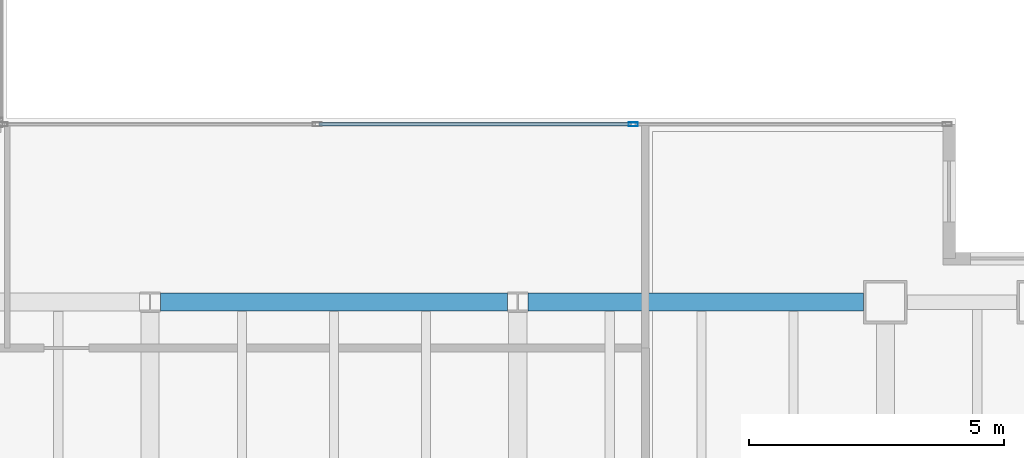
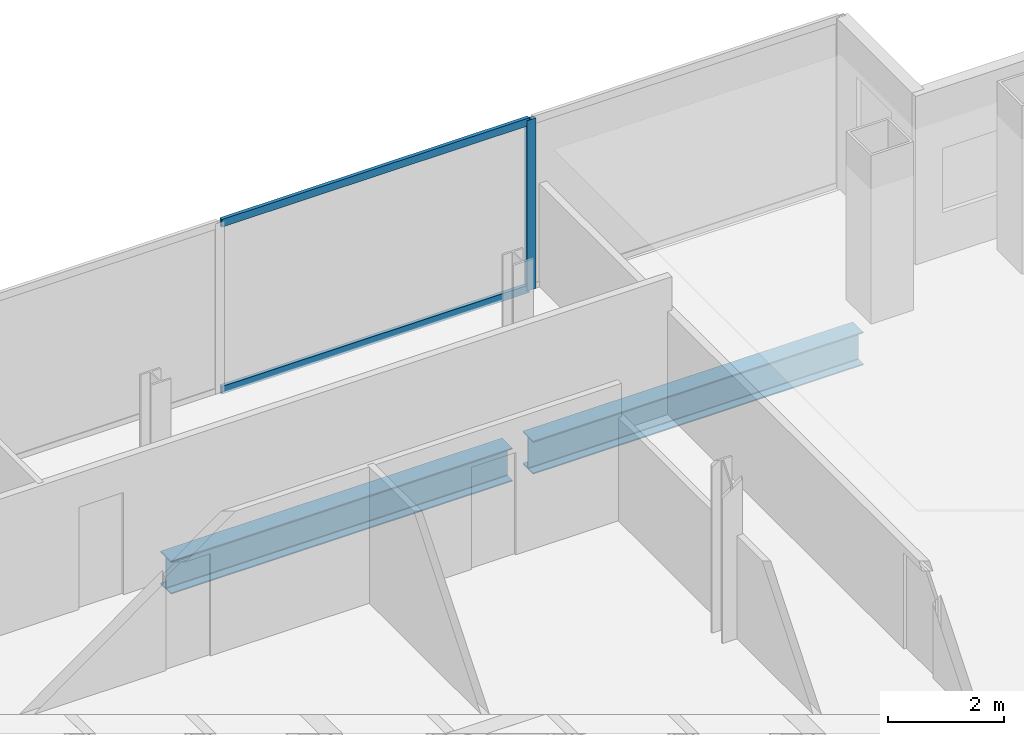
# One storey, part 14 of 24: 3 members, 2 beams, 1 element without a shape of its own.
"""IFC4 building model written with IfcOpenShell, lengths in metres."""

from ifc_helpers import new_model, si_unit, direction, frame, origin, origin_2d, place, context, subcontext, project, spatial, hollow_rectangle, i_section, extrude, material, material_profile, profile_set, type_object, element, aggregate, save


model = new_model("IFC4")

# Units and contexts
model_context = context("Model", 3, precision=1e-05, world=origin(), true_north=direction((0.0, 1.0)))
body_context = subcontext(model_context, "Body", "Model", "MODEL_VIEW")
ifc_project = project(units=[si_unit("LENGTHUNIT", "METRE"), si_unit("AREAUNIT", "SQUARE_METRE"), si_unit("VOLUMEUNIT", "CUBIC_METRE"), si_unit("PLANEANGLEUNIT", "RADIAN"), si_unit("MASSUNIT", "GRAM", prefix="KILO")], contexts=[model_context])

# Site, building, storey
site_placement = place(None, origin())
site = spatial("IfcSite", under=ifc_project, at=site_placement, CompositionType="ELEMENT")
building_placement = place(site_placement, origin())
building = spatial("IfcBuilding", under=site, at=building_placement, Name="Cobrela Telecom Tower", CompositionType="ELEMENT")
storey_placement = place(building_placement, frame((0.0, 0.0, 152.25)))
storey = spatial("IfcBuildingStorey", under=building, at=storey_placement, Name="L38", CompositionType="ELEMENT", Elevation=152.25)

# Beams
ifc_material_1 = material(Name="Steel ASTM A992 Grade 50", Category="steel")
ifc_material_profile_1 = material_profile(ifc_material_1, i_section(OverallWidth=0.35595703125, OverallDepth=0.696044921875, WebThickness=0.015380859375, FlangeThickness=0.024658203125, FilletRadius=0.01806640625, at=origin_2d()), Name="W27X146")
ifc_profile_set_1 = profile_set([ifc_material_profile_1], Name="Steel ASTM A992 Grade 50")
beam_type = type_object("IfcBeamType", Name="BM-GIRD-05", PredefinedType="USERDEFINED", material=ifc_profile_set_1)
beam_1_placement = place(storey_placement, frame((29.00439453125, 21.60009765625, -0.617919921875), z_axis=(1.0, 0.0, 0.0), x_axis=(0.0, 1.0, 0.0)))
element("IfcBeam", 1, at=beam_1_placement, inside=storey, type_object=beam_type, Name="L38 Primary Girder X20", ObjectType="GIRDER", PredefinedType="USERDEFINED", context=body_context, shape_type="SweptSolid", body=[
    extrude(i_section(OverallWidth=0.35595703125, OverallDepth=0.696044921875, WebThickness=0.015380859375, FlangeThickness=0.024658203125, FilletRadius=0.01806640625, at=origin_2d()), origin(), (0.0, 0.0, 1.0), 6.791015625),
])
beam_2_placement = place(storey_placement, frame((36.20458984375, 21.60009765625, -0.617919921875), z_axis=(1.0, 0.0, 0.0), x_axis=(0.0, 1.0, 0.0)))
element("IfcBeam", 2, at=beam_2_placement, inside=storey, type_object=beam_type, Name="L38 Primary Girder X21", ObjectType="GIRDER", PredefinedType="USERDEFINED", context=body_context, shape_type="SweptSolid", body=[
    extrude(i_section(OverallWidth=0.35595703125, OverallDepth=0.696044921875, WebThickness=0.015380859375, FlangeThickness=0.024658203125, FilletRadius=0.01806640625, at=origin_2d()), origin(), (0.0, 0.0, 1.0), 6.5654296875),
])

# Curtain wall, members
ifc_material_2 = material(Name="Anodized Bronze Aluminium 6063-T6", Category="aluminium")
curtain_wall_type = type_object("IfcCurtainWallType", Name="CW-SYS-TEL", PredefinedType="USERDEFINED", material=ifc_material_2)
curtain_wall_placement = place(storey_placement, origin())
curtain_wall = element("IfcCurtainWall", 3, at=curtain_wall_placement, inside=storey, type_object=curtain_wall_type, Name="L38 Unitised Bronze Curtain Wall 11", ObjectType="UNITISED CURTAIN WALL", PredefinedType="USERDEFINED")
ifc_material_profile_2 = material_profile(ifc_material_2, hollow_rectangle(XDim=0.074951171875, YDim=0.179931640625, WallThickness=0.00390625, at=origin_2d()), Name="ALU 75x180x4")
ifc_profile_set_2 = profile_set([ifc_material_profile_2], Name="Anodized Bronze Aluminium 6063-T6")
member_type_1 = type_object("IfcMemberType", Name="CW-SYS-TEL-MUL", PredefinedType="MULLION", material=ifc_profile_set_2)
member_1_placement = place(storey_placement, frame((38.260009765625, 25.080078125, 0.0), z_axis=(0.0, 0.0, 1.0), x_axis=(0.0, 1.0, 0.0)))
member_1 = element("IfcMember", 4, at=member_1_placement, type_object=member_type_1, Name="CW-TEL mullion 3", PredefinedType="MULLION", context=body_context, shape_type="SweptSolid", body=[
    extrude(hollow_rectangle(XDim=0.074951171875, YDim=0.179931640625, WallThickness=0.00390625, at=origin_2d()), origin(), (0.0, 0.0, 1.0), 3.580078125),
])
ifc_material_profile_3 = material_profile(ifc_material_2, hollow_rectangle(XDim=0.070068359375, YDim=0.159912109375, WallThickness=0.00390625, at=origin_2d()), Name="ALU 70x160x4")
ifc_profile_set_3 = profile_set([ifc_material_profile_3], Name="Anodized Bronze Aluminium 6063-T6")
member_type_2 = type_object("IfcMemberType", Name="CW-SYS-TEL-TRN", PredefinedType="USERDEFINED", material=ifc_profile_set_3)
member_2_placement = place(storey_placement, frame((32.107421875, 25.080078125, 0.034912109375), z_axis=(1.0, 0.0, 0.0), x_axis=(0.0, 1.0, 0.0)))
member_2 = element("IfcMember", 5, at=member_2_placement, type_object=member_type_2, Name="CW-TEL transom 2.1", ObjectType="TRANSOM", PredefinedType="USERDEFINED", context=body_context, shape_type="SweptSolid", body=[
    extrude(hollow_rectangle(XDim=0.070068359375, YDim=0.159912109375, WallThickness=0.00390625, at=origin_2d()), origin(), (0.0, 0.0, 1.0), 6.114990234375),
])
member_3_placement = place(storey_placement, frame((32.107421875, 25.080078125, 3.544921875), z_axis=(1.0, 0.0, 0.0), x_axis=(0.0, 1.0, 0.0)))
member_3 = element("IfcMember", 6, at=member_3_placement, type_object=member_type_2, Name="CW-TEL transom 2.2", ObjectType="TRANSOM", PredefinedType="USERDEFINED", context=body_context, shape_type="SweptSolid", body=[
    extrude(hollow_rectangle(XDim=0.070068359375, YDim=0.159912109375, WallThickness=0.00390625, at=origin_2d()), origin(), (0.0, 0.0, 1.0), 6.114990234375),
])
aggregate(curtain_wall, [member_1, member_2, member_3])

save(model, "model.ifc")
